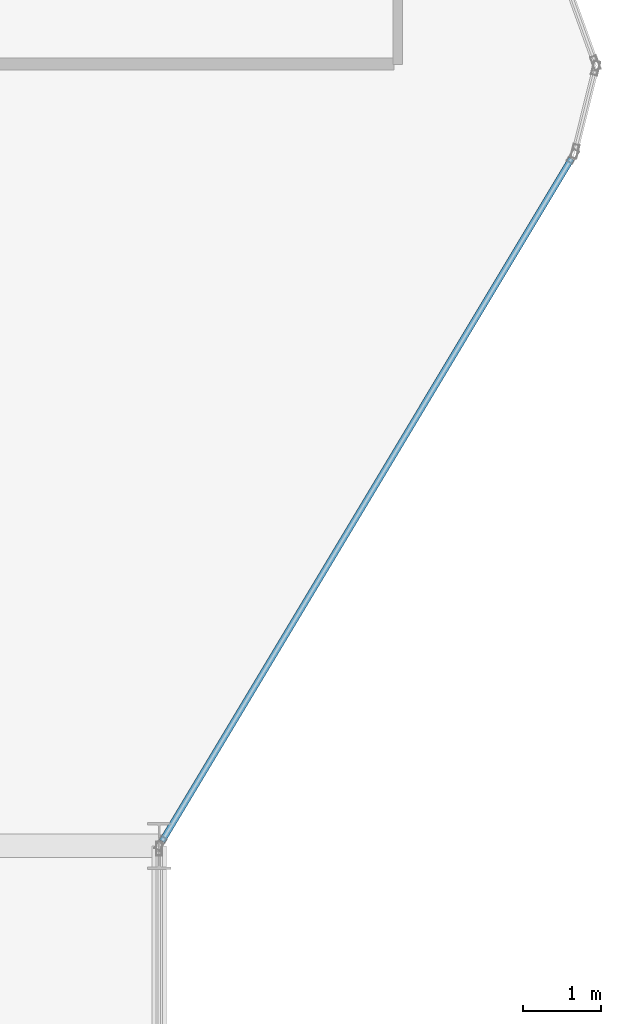
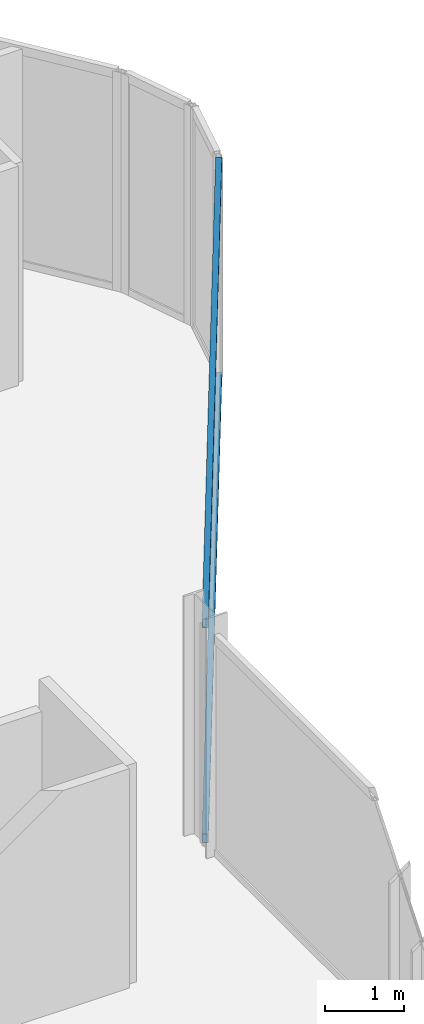
# One storey, part 13 of 30: 2 members, 1 element without a shape of its own.
"""IFC4 building model written with IfcOpenShell, lengths in metres."""

from ifc_helpers import new_model, si_unit, direction, frame, origin, origin_2d, place, context, subcontext, project, spatial, hollow_rectangle, extrude, material, layer, layer_set, material_profile, profile_set, type_object, element, aggregate, save


model = new_model("IFC4")

# Units and contexts
model_context = context("Model", 3, precision=1e-05, world=origin(), true_north=direction((0.0, 1.0)))
body_context = subcontext(model_context, "Body", "Model", "MODEL_VIEW")
ifc_project = project(units=[si_unit("LENGTHUNIT", "METRE"), si_unit("AREAUNIT", "SQUARE_METRE"), si_unit("VOLUMEUNIT", "CUBIC_METRE"), si_unit("PLANEANGLEUNIT", "RADIAN"), si_unit("MASSUNIT", "GRAM", prefix="KILO")], contexts=[model_context])

# Site, building, storey
site_placement = place(None, origin())
site = spatial("IfcSite", under=ifc_project, at=site_placement, CompositionType="ELEMENT")
building_placement = place(site_placement, origin())
building = spatial("IfcBuilding", under=site, at=building_placement, Name="Keshet Zoharim Tower", CompositionType="ELEMENT")
storey_placement = place(building_placement, frame((0.0, 0.0, 90.89990234375)))
storey = spatial("IfcBuildingStorey", under=building, at=storey_placement, Name="L21", CompositionType="ELEMENT", Elevation=90.89990234375)

# Curtain wall, members
ifc_material = material(Name="Aluminium 6063-T6", Category="aluminium")
ifc_layer = layer(ifc_material, 0.159912109375)
ifc_layer_set = layer_set([ifc_layer], Name="Aluminium 6063-T6")
curtain_wall_type = type_object("IfcCurtainWallType", Name="CW-SYS-03", PredefinedType="NOTDEFINED", material=ifc_layer_set)
curtain_wall_placement = place(storey_placement, origin())
curtain_wall = element("IfcCurtainWall", 1, at=curtain_wall_placement, inside=storey, type_object=curtain_wall_type, Name="L21 Unitised Curtain Wall 18", PredefinedType="NOTDEFINED")
ifc_material_profile = material_profile(ifc_material, hollow_rectangle(XDim=0.080078125, YDim=0.139892578125, WallThickness=0.00390625, at=origin_2d()), Name="TRN-80x140")
ifc_profile_set = profile_set([ifc_material_profile], Name="Aluminium 6063-T6")
member_type = type_object("IfcMemberType", Name="CWT-T14", PredefinedType="USERDEFINED", material=ifc_profile_set)
member_1_placement = place(storey_placement, frame((62.27197265625, 36.68701171875, 0.03515625), z_axis=(-0.514467532827, -0.857509858641, 0.0), x_axis=(0.857509858641, -0.514467532827, 0.0)))
member_1 = element("IfcMember", 2, at=member_1_placement, type_object=member_type, Name="CW-03 transom 1.1", ObjectType="TRANSOM", PredefinedType="USERDEFINED", context=body_context, shape_type="SweptSolid", body=[
    extrude(hollow_rectangle(XDim=0.080078125, YDim=0.139892578125, WallThickness=0.00390625, at=origin_2d()), origin(), (0.0, 0.0, 1.0), 10.17724609375),
])
member_2_placement = place(storey_placement, frame((62.27197265625, 36.68701171875, 3.35009765625), z_axis=(-0.514467532827, -0.857509858641, 0.0), x_axis=(0.857509858641, -0.514467532827, 0.0)))
member_2 = element("IfcMember", 3, at=member_2_placement, type_object=member_type, Name="CW-03 transom 1.2", ObjectType="TRANSOM", PredefinedType="USERDEFINED", context=body_context, shape_type="SweptSolid", body=[
    extrude(hollow_rectangle(XDim=0.080078125, YDim=0.139892578125, WallThickness=0.00390625, at=origin_2d()), origin(), (0.0, 0.0, 1.0), 10.17724609375),
])
aggregate(curtain_wall, [member_1, member_2])

save(model, "model.ifc")
